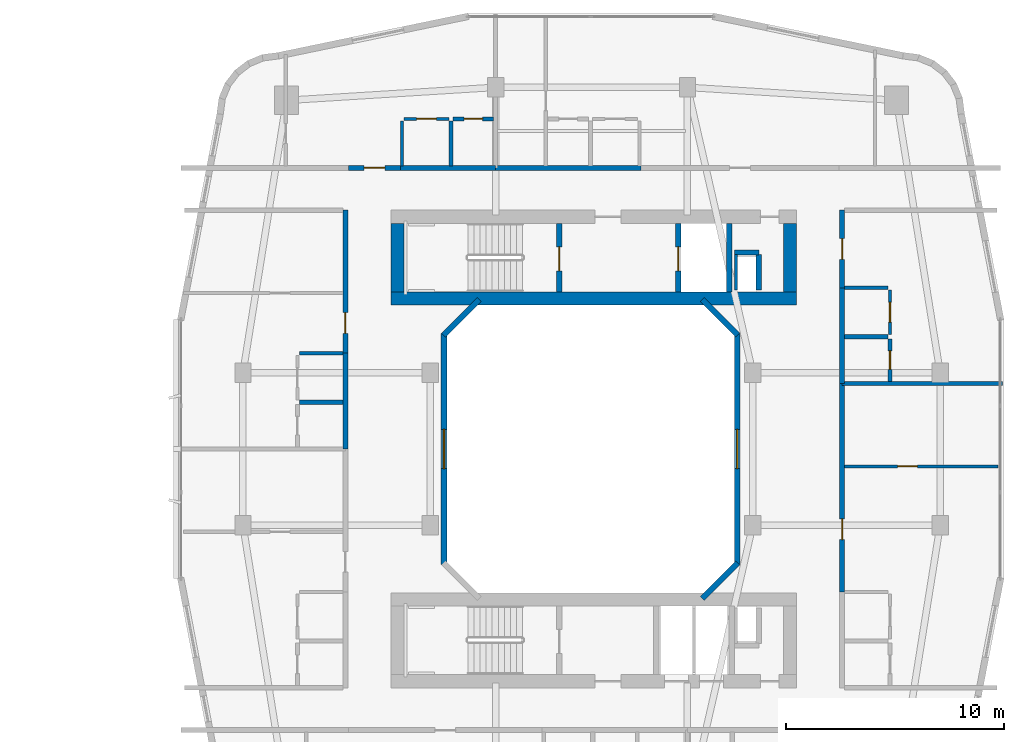
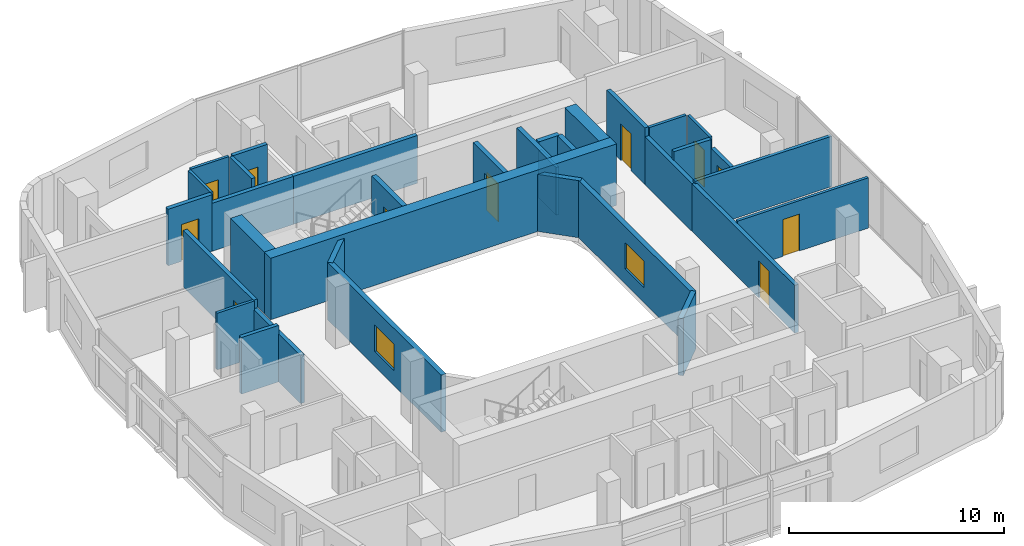
# One storey, part 19 of 26: 34 walls, 11 doors, 2 windows, 13 openings.
"""IFC4 building model written with IfcOpenShell, lengths in metres."""

from ifc_helpers import new_model, si_unit, derived_unit, direction, frame, frame_2d, origin, place, context, subcontext, project, spatial, rectangle, extrude, material, layer, layer_set, type_object, element, fill, save


model = new_model("IFC4")

# Units and contexts
model_context = context("Model", 3, precision=1e-05, world=origin(), true_north=direction((0.0, 1.0)))
body_context = subcontext(model_context, "Body", "Model", "MODEL_VIEW")
ifc_project = project(units=[si_unit("LENGTHUNIT", "METRE"), si_unit("AREAUNIT", "SQUARE_METRE"), si_unit("VOLUMEUNIT", "CUBIC_METRE"), si_unit("PLANEANGLEUNIT", "RADIAN"), si_unit("MASSUNIT", "GRAM", prefix="KILO"), derived_unit("THERMALTRANSMITTANCEUNIT", [(si_unit("POWERUNIT", "WATT"), 1), (si_unit("LENGTHUNIT", "METRE"), -2), (si_unit("THERMODYNAMICTEMPERATUREUNIT", "KELVIN"), -1)])], contexts=[model_context])

# Site, building, storey
site_placement = place(None, origin())
site = spatial("IfcSite", under=ifc_project, at=site_placement, CompositionType="ELEMENT")
building_placement = place(site_placement, origin())
building = spatial("IfcBuilding", under=site, at=building_placement, Name="Kivonza Crest Hotel", CompositionType="ELEMENT")
storey_placement = place(building_placement, frame((0.0, 0.0, 45.0)))
storey = spatial("IfcBuildingStorey", under=building, at=storey_placement, Name="L11", CompositionType="ELEMENT", Elevation=45.0)

# Walls
ifc_material_1 = material(Name="High-density acoustic masonry inter-tenancy wall", Category="masonry")
ifc_layer_1 = layer(ifc_material_1, 0.179931640625)
ifc_layer_set_1 = layer_set([ifc_layer_1], Name="High-density acoustic masonry inter-tenancy wall")
wall_type_1 = type_object("IfcWallType", Name="WL-ACOU-180", PredefinedType="SOLIDWALL", material=ifc_layer_set_1)
wall_1_placement = place(storey_placement, frame((88.5, 28.0, 0.0), z_axis=(0.0, 0.0, 1.0), x_axis=(1.0, 0.0, 0.0)))
element("IfcWall", 1, at=wall_1_placement, inside=storey, type_object=wall_type_1, Name="L11 interior partition WA-L11-T2E-DIV1", PredefinedType="SOLIDWALL", context=body_context, shape_type="SweptSolid", body=[
    extrude(rectangle(XDim=7.360107421875, YDim=0.179931640625, at=frame_2d((3.68017578125, 0.0))), origin(), (0.0, 0.0, 1.0), 2.864990234375),
])
ifc_material_2 = material(Name="Autoclaved aerated concrete blockwork", Category="masonry")
ifc_layer_2 = layer(ifc_material_2, 0.219970703125)
ifc_layer_set_2 = layer_set([ifc_layer_2], Name="Autoclaved aerated concrete blockwork")
wall_type_2 = type_object("IfcWallType", Name="WL-ACOU-220", PredefinedType="SOLIDWALL", material=ifc_layer_set_2)
wall_2_placement = place(storey_placement, frame((68.219970703125, 37.89990234375, 0.0), z_axis=(0.0, 0.0, 1.0), x_axis=(1.0, 0.0, 0.0)))
element("IfcWall", 2, at=wall_2_placement, inside=storey, type_object=wall_type_2, Name="L11 interior partition WA-L11-A01-RCORR", PredefinedType="SOLIDWALL", context=body_context, shape_type="SweptSolid", body=[
    extrude(rectangle(XDim=4.380126953125, YDim=0.219970703125, at=frame_2d((2.18994140625, 0.0))), origin(), (0.0, 0.0, 1.0), 2.72509765625),
])

# Wall, opening, door
wall_3_placement = place(storey_placement, frame((65.85009765625, 37.89990234375, 0.0), z_axis=(0.0, 0.0, 1.0), x_axis=(1.0, 0.0, 0.0)))
wall_3 = element("IfcWall", 3, at=wall_3_placement, inside=storey, type_object=wall_type_2, Name="L11 interior partition WA-L11-A01-MCORR", PredefinedType="SOLIDWALL", context=body_context, shape_type="SweptSolid", body=[
    extrude(rectangle(XDim=2.369873046875, YDim=0.219970703125, at=frame_2d((1.18505859375, 0.0))), origin(), (0.0, 0.0, 1.0), 3.219970703125),
])
opening_1_placement = place(wall_3_placement, frame((0.7099609375, 0.0, 0.0)))
opening_1 = element("IfcOpeningElement", 4, at=opening_1_placement, cuts=wall_3, Name="Opening DU-60", PredefinedType="OPENING", context=body_context, shape_type="SweptSolid", body=[
    extrude(rectangle(XDim=0.949951171875, YDim=2.10009765625, at=frame_2d((0.47509765625, 1.050048828125))), frame((0.0, 0.1201171875, 0.0), z_axis=(0.0, -1.0, 0.0), x_axis=(1.0, 0.0, 0.0)), (0.0, 0.0, 1.0), 0.239990234375),
])
ifc_material_3 = material(Name="Hardwood timber oak", Category="wood")
door_type_1 = type_object("IfcDoorType", Name="DR-UNIT-950", OperationType="NOTDEFINED", PredefinedType="DOOR", material=ifc_material_3)
door_1_placement = place(opening_1_placement, origin())
door_1 = element("IfcDoor", 5, at=door_1_placement, inside=storey, type_object=door_type_1, Name="L11 A01 apartment entrance fire door", OperationType="SINGLE_SWING_LEFT", OverallHeight=2.10009765625, OverallWidth=0.949951171875, PredefinedType="DOOR", context=body_context, shape_type="SweptSolid", body=[
    extrude(rectangle(XDim=0.949951171875, YDim=2.10009765625, at=frame_2d((0.47509765625, 1.050048828125))), frame((0.0, 0.02490234375, 0.0), z_axis=(0.0, -1.0, 0.0), x_axis=(1.0, 0.0, 0.0)), (0.0, 0.0, 1.0), 0.050048828125),
])
fill(opening_1, door_1)

# Walls
wall_4_placement = place(storey_placement, frame((72.60009765625, 37.89990234375, 0.0), z_axis=(0.0, 0.0, 1.0), x_axis=(1.0, 0.0, 0.0)))
element("IfcWall", 6, at=wall_4_placement, inside=storey, type_object=wall_type_2, Name="L11 interior partition WA-L11-A02-LCORR", PredefinedType="SOLIDWALL", context=body_context, shape_type="SweptSolid", body=[
    extrude(rectangle(XDim=6.679931640625, YDim=0.219970703125, at=frame_2d((3.33984375, 0.0))), origin(), (0.0, 0.0, 1.0), 2.72509765625),
])
wall_5_placement = place(storey_placement, frame((65.699951171875, 25.0, 0.0), z_axis=(0.0, 0.0, 1.0), x_axis=(0.0, 1.0, 0.0)))
element("IfcWall", 7, at=wall_5_placement, inside=storey, type_object=wall_type_2, Name="L11 interior partition WA-L11-A06-BCORR", PredefinedType="SOLIDWALL", context=body_context, shape_type="SweptSolid", body=[
    extrude(rectangle(XDim=4.39990234375, YDim=0.219970703125, at=frame_2d((2.199951171875, 0.0))), origin(), (0.0, 0.0, 1.0), 2.72509765625),
])

# Wall, opening, door
wall_6_placement = place(storey_placement, frame((65.699951171875, 29.39990234375, 0.0), z_axis=(0.0, 0.0, 1.0), x_axis=(0.0, 1.0, 0.0)))
wall_6 = element("IfcWall", 8, at=wall_6_placement, inside=storey, type_object=wall_type_2, Name="L11 interior partition WA-L11-A06-MCORR", PredefinedType="SOLIDWALL", context=body_context, shape_type="SweptSolid", body=[
    extrude(rectangle(XDim=6.56005859375, YDim=0.219970703125, at=frame_2d((3.280029296875, 0.0))), origin(), (0.0, 0.0, 1.0), 3.219970703125),
])
opening_2_placement = place(wall_6_placement, frame((0.905029296875, 0.0, 0.0)))
opening_2 = element("IfcOpeningElement", 9, at=opening_2_placement, cuts=wall_6, Name="Opening DU-60", PredefinedType="OPENING", context=body_context, shape_type="SweptSolid", body=[
    extrude(rectangle(XDim=0.949951171875, YDim=2.10009765625, at=frame_2d((0.47509765625, 1.050048828125))), frame((0.0, 0.1201171875, 0.0), z_axis=(0.0, -1.0, 0.0), x_axis=(1.0, 0.0, 0.0)), (0.0, 0.0, 1.0), 0.239990234375),
])
door_2_placement = place(opening_2_placement, origin())
door_2 = element("IfcDoor", 10, at=door_2_placement, inside=storey, type_object=door_type_1, Name="L11 A06 apartment entrance fire door", OperationType="SINGLE_SWING_RIGHT", OverallHeight=2.10009765625, OverallWidth=0.949951171875, PredefinedType="DOOR", context=body_context, shape_type="SweptSolid", body=[
    extrude(rectangle(XDim=0.949951171875, YDim=2.10009765625, at=frame_2d((0.47509765625, 1.050048828125))), frame((0.0, 0.02490234375, 0.0), z_axis=(0.0, -1.0, 0.0), x_axis=(1.0, 0.0, 0.0)), (0.0, 0.0, 1.0), 0.050048828125),
])
fill(opening_2, door_2)

wall_7_placement = place(storey_placement, frame((88.5, 18.43994140625, 0.0), z_axis=(0.0, 0.0, 1.0), x_axis=(0.0, 1.0, 0.0)))
wall_7 = element("IfcWall", 11, at=wall_7_placement, inside=storey, type_object=wall_type_2, Name="L11 interior partition WA-L11-A07-MCORR", PredefinedType="SOLIDWALL", context=body_context, shape_type="SweptSolid", body=[
    extrude(rectangle(XDim=9.56005859375, YDim=0.219970703125, at=frame_2d((4.780029296875, 0.0))), origin(), (0.0, 0.0, 1.0), 2.72509765625),
])
opening_3_placement = place(wall_7_placement, frame((2.405029296875, 0.0, 0.0)))
opening_3 = element("IfcOpeningElement", 12, at=opening_3_placement, cuts=wall_7, Name="Opening DU-60", PredefinedType="OPENING", context=body_context, shape_type="SweptSolid", body=[
    extrude(rectangle(XDim=0.949951171875, YDim=2.10009765625, at=frame_2d((0.47509765625, 1.050048828125))), frame((0.0, 0.1201171875, 0.0), z_axis=(0.0, -1.0, 0.0), x_axis=(1.0, 0.0, 0.0)), (0.0, 0.0, 1.0), 0.239990234375),
])
door_3_placement = place(opening_3_placement, frame((0.949951171875, 0.0, 0.0), z_axis=(0.0, 0.0, 1.0), x_axis=(-1.0, 0.0, 0.0)))
door_3 = element("IfcDoor", 13, at=door_3_placement, inside=storey, type_object=door_type_1, Name="L11 A07 apartment entrance fire door", OperationType="SINGLE_SWING_LEFT", OverallHeight=2.10009765625, OverallWidth=0.949951171875, PredefinedType="DOOR", context=body_context, shape_type="SweptSolid", body=[
    extrude(rectangle(XDim=0.949951171875, YDim=2.10009765625, at=frame_2d((0.47509765625, 1.050048828125))), frame((0.0, 0.02490234375, 0.0), z_axis=(0.0, -1.0, 0.0), x_axis=(1.0, 0.0, 0.0)), (0.0, 0.0, 1.0), 0.050048828125),
])
fill(opening_3, door_3)

# Wall
wall_8_placement = place(storey_placement, frame((88.5, 28.0, 0.0), z_axis=(0.0, 0.0, 1.0), x_axis=(0.0, 1.0, 0.0)))
element("IfcWall", 14, at=wall_8_placement, inside=storey, type_object=wall_type_2, Name="L11 interior partition WA-L11-A08-BCORR", PredefinedType="SOLIDWALL", context=body_context, shape_type="SweptSolid", body=[
    extrude(rectangle(XDim=4.39990234375, YDim=0.219970703125, at=frame_2d((2.199951171875, 0.0))), origin(), (0.0, 0.0, 1.0), 2.72509765625),
])

# Wall, opening, door
wall_9_placement = place(storey_placement, frame((88.5, 32.39990234375, 0.0), z_axis=(0.0, 0.0, 1.0), x_axis=(0.0, 1.0, 0.0)))
wall_9 = element("IfcWall", 15, at=wall_9_placement, inside=storey, type_object=wall_type_2, Name="L11 interior partition WA-L11-A08-MCORR", PredefinedType="SOLIDWALL", context=body_context, shape_type="SweptSolid", body=[
    extrude(rectangle(XDim=3.56005859375, YDim=0.219970703125, at=frame_2d((1.780029296875, 0.0))), origin(), (0.0, 0.0, 1.0), 3.219970703125),
])
opening_4_placement = place(wall_9_placement, frame((1.304931640625, 0.0, 0.0)))
opening_4 = element("IfcOpeningElement", 16, at=opening_4_placement, cuts=wall_9, Name="Opening DU-60", PredefinedType="OPENING", context=body_context, shape_type="SweptSolid", body=[
    extrude(rectangle(XDim=0.949951171875, YDim=2.10009765625, at=frame_2d((0.47509765625, 1.050048828125))), frame((0.0, 0.1201171875, 0.0), z_axis=(0.0, -1.0, 0.0), x_axis=(1.0, 0.0, 0.0)), (0.0, 0.0, 1.0), 0.239990234375),
])
door_4_placement = place(opening_4_placement, frame((0.949951171875, 0.0, 0.0), z_axis=(0.0, 0.0, 1.0), x_axis=(-1.0, 0.0, 0.0)))
door_4 = element("IfcDoor", 17, at=door_4_placement, inside=storey, type_object=door_type_1, Name="L11 A08 apartment entrance fire door", OperationType="SINGLE_SWING_RIGHT", OverallHeight=2.10009765625, OverallWidth=0.949951171875, PredefinedType="DOOR", context=body_context, shape_type="SweptSolid", body=[
    extrude(rectangle(XDim=0.949951171875, YDim=2.10009765625, at=frame_2d((0.47509765625, 1.050048828125))), frame((0.0, 0.02490234375, 0.0), z_axis=(0.0, -1.0, 0.0), x_axis=(1.0, 0.0, 0.0)), (0.0, 0.0, 1.0), 0.050048828125),
])
fill(opening_4, door_4)

# Walls
ifc_material_4 = material(Name="Concrete C60/75", Category="concrete")
ifc_layer_3 = layer(ifc_material_4, 0.60009765625)
ifc_layer_set_3 = layer_set([ifc_layer_3], Name="Concrete C60/75")
wall_type_3 = type_object("IfcWallType", Name="WL-CORE-600", PredefinedType="SHEAR", material=ifc_layer_set_3)
wall_10_placement = place(storey_placement, frame((67.800048828125, 31.89990234375, 0.0), z_axis=(0.0, 0.0, 1.0), x_axis=(1.0, 0.0, 0.0)))
element("IfcWall", 18, at=wall_10_placement, inside=storey, type_object=wall_type_3, Name="Core wall T2-N South L11", PredefinedType="SHEAR", context=body_context, shape_type="SweptSolid", body=[
    extrude(rectangle(XDim=18.599853515625, YDim=0.60009765625, at=frame_2d((9.2998046875, 0.0))), origin(), (0.0, 0.0, 1.0), 3.5),
])
for number, where, z_axis, x_axis, name in (
    (19, (68.10009765625, 32.199951171875, 0.0), (0.0, 0.0, 1.0), (0.0, 1.0, 0.0), "Core wall T2-N West L11"),
    (20, (86.10009765625, 32.199951171875, 0.0), (0.0, 0.0, 1.0), (0.0, 1.0, 0.0), "Core wall T2-N East L11"),
):
    element("IfcWall", number, at=place(storey_placement, frame(where, z_axis=z_axis, x_axis=x_axis)), inside=storey, type_object=wall_type_3, Name=name, PredefinedType="SHEAR", context=body_context, shape_type="SweptSolid", body=[
        extrude(rectangle(XDim=3.16015625, YDim=0.60009765625, at=frame_2d((1.580078125, 0.0))), origin(), (0.0, 0.0, 1.0), 3.5),
    ])
ifc_material_5 = material(Name="Precast concrete C40/50", Category="concrete")
ifc_layer_4 = layer(ifc_material_5, 0.260009765625)
ifc_layer_set_4 = layer_set([ifc_layer_4], Name="Precast concrete C40/50")
wall_type_4 = type_object("IfcWallType", Name="WL-EXT-260", PredefinedType="STANDARD", material=ifc_layer_set_4)
wall_11_placement = place(storey_placement, frame((82.08203125, 18.137939453125, 0.0), z_axis=(0.0, 0.0, 1.0), x_axis=(0.707106781187, 0.707106781187, 0.0)))
element("IfcWall", 21, at=wall_11_placement, inside=storey, type_object=wall_type_4, Name="L11 T2 light-well exterior wall 2", PredefinedType="STANDARD", context=body_context, shape_type="SweptSolid", body=[
    extrude(rectangle(XDim=2.310791015625, YDim=0.260009765625, at=frame_2d((1.1552734375, 0.0))), origin(), (0.0, 0.0, 1.0), 3.25),
])

# Wall, opening, window
wall_12_placement = place(storey_placement, frame((83.68994140625, 19.7099609375, 0.0), z_axis=(0.0, 0.0, 1.0), x_axis=(0.0, 1.0, 0.0)))
wall_12 = element("IfcWall", 22, at=wall_12_placement, inside=storey, type_object=wall_type_4, Name="L11 T2 light-well exterior wall 3", PredefinedType="STANDARD", context=body_context, shape_type="SweptSolid", body=[
    extrude(rectangle(XDim=10.580078125, YDim=0.260009765625, at=frame_2d((5.2900390625, 0.0))), origin(), (0.0, 0.0, 1.0), 3.25),
])
opening_5_placement = place(wall_12_placement, frame((4.389892578125, 0.0, 0.85009765625)))
opening_5 = element("IfcOpeningElement", 23, at=opening_5_placement, cuts=wall_12, Name="Opening WN-03", PredefinedType="OPENING", context=body_context, shape_type="SweptSolid", body=[
    extrude(rectangle(XDim=1.800048828125, YDim=1.5, at=frame_2d((0.89990234375, 0.75))), frame((0.0, 0.14013671875, 0.0), z_axis=(0.0, -1.0, 0.0), x_axis=(1.0, 0.0, 0.0)), (0.0, 0.0, 1.0), 0.280029296875),
])
ifc_material_6 = material(Name="Thermally broken bronze aluminium and low-E double glazing", Category="aluminium")
window_type = type_object("IfcWindowType", Name="WN-180x150", PartitioningType="DOUBLE_PANEL_VERTICAL", PredefinedType="WINDOW", material=ifc_material_6)
window_1_placement = place(opening_5_placement, origin())
window_1 = element("IfcWindow", 24, at=window_1_placement, inside=storey, type_object=window_type, Name="L11 T2 light-well window 3", OverallHeight=1.5, OverallWidth=1.800048828125, PartitioningType="SINGLE_PANEL", PredefinedType="WINDOW", context=body_context, shape_type="SweptSolid", body=[
    extrude(rectangle(XDim=1.800048828125, YDim=1.5, at=frame_2d((0.89990234375, 0.75))), frame((0.0, 0.030029296875, 0.0), z_axis=(0.0, -1.0, 0.0), x_axis=(1.0, 0.0, 0.0)), (0.0, 0.0, 1.0), 0.06005859375),
])
fill(opening_5, window_1)

# Walls
for number, where, z_axis, x_axis, name in (
    (25, (83.716064453125, 30.22802734375, 0.0), (0.0, 0.0, 1.0), (-0.707106781187, 0.707106781187, 0.0), "L11 T2 light-well exterior wall 4"),
    (26, (71.837890625, 31.862060546875, 0.0), (0.0, 0.0, 1.0), (-0.707053950914, -0.707159607512, 0.0), "L11 T2 light-well exterior wall 6"),
):
    element("IfcWall", number, at=place(storey_placement, frame(where, z_axis=z_axis, x_axis=x_axis)), inside=storey, type_object=wall_type_4, Name=name, PredefinedType="STANDARD", context=body_context, shape_type="SweptSolid", body=[
        extrude(rectangle(XDim=2.310791015625, YDim=0.260009765625, at=frame_2d((1.1552734375, 0.0))), origin(), (0.0, 0.0, 1.0), 3.25),
    ])

# Wall, opening, window
wall_13_placement = place(storey_placement, frame((70.22998046875, 30.2900390625, 0.0), z_axis=(0.0, 0.0, 1.0), x_axis=(0.0, -1.0, 0.0)))
wall_13 = element("IfcWall", 27, at=wall_13_placement, inside=storey, type_object=wall_type_4, Name="L11 T2 light-well exterior wall 7", PredefinedType="STANDARD", context=body_context, shape_type="SweptSolid", body=[
    extrude(rectangle(XDim=10.580078125, YDim=0.260009765625, at=frame_2d((5.2900390625, 0.0))), origin(), (0.0, 0.0, 1.0), 3.25),
])
opening_6_placement = place(wall_13_placement, frame((4.389892578125, 0.0, 0.85009765625)))
opening_6 = element("IfcOpeningElement", 28, at=opening_6_placement, cuts=wall_13, Name="Opening WN-03", PredefinedType="OPENING", context=body_context, shape_type="SweptSolid", body=[
    extrude(rectangle(XDim=1.800048828125, YDim=1.5, at=frame_2d((0.89990234375, 0.75))), frame((0.0, 0.14013671875, 0.0), z_axis=(0.0, -1.0, 0.0), x_axis=(1.0, 0.0, 0.0)), (0.0, 0.0, 1.0), 0.280029296875),
])
window_2_placement = place(opening_6_placement, origin())
window_2 = element("IfcWindow", 29, at=window_2_placement, inside=storey, type_object=window_type, Name="L11 T2 light-well window 7", OverallHeight=1.5, OverallWidth=1.800048828125, PartitioningType="SINGLE_PANEL", PredefinedType="WINDOW", context=body_context, shape_type="SweptSolid", body=[
    extrude(rectangle(XDim=1.800048828125, YDim=1.5, at=frame_2d((0.89990234375, 0.75))), frame((0.0, 0.030029296875, 0.0), z_axis=(0.0, -1.0, 0.0), x_axis=(1.0, 0.0, 0.0)), (0.0, 0.0, 1.0), 0.06005859375),
])
fill(opening_6, window_2)

# Walls
ifc_material_7 = material(Name="Concrete blockwork fire-compartment wall", Category="masonry")
ifc_layer_5 = layer(ifc_material_7, 0.25)
ifc_layer_set_5 = layer_set([ifc_layer_5], Name="Concrete blockwork fire-compartment wall")
wall_type_5 = type_object("IfcWallType", Name="WL-FIRE-250", PredefinedType="SOLIDWALL", material=ifc_layer_set_5)
wall_14_placement = place(storey_placement, frame((84.679931640625, 32.300048828125, 0.0), z_axis=(0.0, 0.0, 1.0), x_axis=(0.0, 1.0, 0.0)))
element("IfcWall", 30, at=wall_14_placement, inside=storey, type_object=wall_type_5, Name="L11 interior partition WA-L11-T2-N-MEPR-E", PredefinedType="SOLIDWALL", context=body_context, shape_type="SweptSolid", body=[
    extrude(rectangle(XDim=1.619873046875, YDim=0.25, at=frame_2d((0.81005859375, 0.0))), origin(), (0.0, 0.0, 1.0), 3.219970703125),
])
wall_15_placement = place(storey_placement, frame((83.550048828125, 34.02001953125, 0.0), z_axis=(0.0, 0.0, 1.0), x_axis=(1.0, 0.0, 0.0)))
element("IfcWall", 31, at=wall_15_placement, inside=storey, type_object=wall_type_5, Name="L11 interior partition WA-L11-T2-N-MEPR-H", PredefinedType="SOLIDWALL", context=body_context, shape_type="SweptSolid", body=[
    extrude(rectangle(XDim=1.1298828125, YDim=0.25, at=frame_2d((0.56494140625, 0.0))), origin(), (0.0, 0.0, 1.0), 3.219970703125),
])
ifc_material_8 = material(Name="Twin-stud acoustic gypsum board partition", Category="gypsum")
ifc_layer_6 = layer(ifc_material_8, 0.14990234375)
ifc_layer_set_6 = layer_set([ifc_layer_6], Name="Twin-stud acoustic gypsum board partition")
wall_type_6 = type_object("IfcWallType", Name="WL-PART-150", PredefinedType="PARTITIONING", material=ifc_layer_set_6)
wall_16_placement = place(storey_placement, frame((83.6298828125, 32.300048828125, 0.0), z_axis=(0.0, 0.0, 1.0), x_axis=(0.0, 1.0, 0.0)))
element("IfcWall", 32, at=wall_16_placement, inside=storey, type_object=wall_type_6, Name="L11 interior partition WA-L11-T2-N-MEPR-W", PredefinedType="PARTITIONING", context=body_context, shape_type="SweptSolid", body=[
    extrude(rectangle(XDim=1.619873046875, YDim=0.14990234375, at=frame_2d((0.81005859375, 0.0))), origin(), (0.0, 0.0, 1.0), 2.72509765625),
])
wall_17_placement = place(storey_placement, frame((68.300048828125, 38.0, 0.0), z_axis=(0.0, 0.0, 1.0), x_axis=(0.0, 1.0, 0.0)))
element("IfcWall", 33, at=wall_17_placement, inside=storey, type_object=wall_type_6, Name="L11 interior partition WP-L11-A01-KF", PredefinedType="PARTITIONING", context=body_context, shape_type="SweptSolid", body=[
    extrude(rectangle(XDim=2.050048828125, YDim=0.14990234375, at=frame_2d((1.02490234375, 0.0))), origin(), (0.0, 0.0, 1.0), 3.219970703125),
])

# Wall, opening, door
wall_18_placement = place(storey_placement, frame((68.39990234375, 40.14990234375, 0.0), z_axis=(0.0, 0.0, 1.0), x_axis=(1.0, 0.0, 0.0)))
wall_18 = element("IfcWall", 34, at=wall_18_placement, inside=storey, type_object=wall_type_6, Name="L11 interior partition WP-L11-A01-KSVC", PredefinedType="PARTITIONING", context=body_context, shape_type="SweptSolid", body=[
    extrude(rectangle(XDim=2.050048828125, YDim=0.14990234375, at=frame_2d((1.02490234375, 0.0))), origin(), (0.0, 0.0, 1.0), 3.219970703125),
])
opening_7_placement = place(wall_18_placement, frame((0.574951171875, 0.0, 0.0)))
opening_7 = element("IfcOpeningElement", 35, at=opening_7_placement, cuts=wall_18, Name="Opening DI-90", PredefinedType="OPENING", context=body_context, shape_type="SweptSolid", body=[
    extrude(rectangle(XDim=0.89990234375, YDim=2.10009765625, at=frame_2d((0.449951171875, 1.050048828125))), frame((0.0, 0.0849609375, 0.0), z_axis=(0.0, -1.0, 0.0), x_axis=(1.0, 0.0, 0.0)), (0.0, 0.0, 1.0), 0.169921875),
])
door_type_2 = type_object("IfcDoorType", Name="DR-INT-900", OperationType="NOTDEFINED", PredefinedType="DOOR", material=ifc_material_3)
door_5_placement = place(opening_7_placement, origin())
door_5 = element("IfcDoor", 36, at=door_5_placement, inside=storey, type_object=door_type_2, Name="L11 A01 apartment kitchen door", OperationType="SINGLE_SWING_LEFT", OverallHeight=2.10009765625, OverallWidth=0.89990234375, PredefinedType="DOOR", context=body_context, shape_type="SweptSolid", body=[
    extrude(rectangle(XDim=0.89990234375, YDim=2.10009765625, at=frame_2d((0.449951171875, 1.050048828125))), frame((0.0, 0.02490234375, 0.0), z_axis=(0.0, -1.0, 0.0), x_axis=(1.0, 0.0, 0.0)), (0.0, 0.0, 1.0), 0.050048828125),
])
fill(opening_7, door_5)

# Wall
wall_19_placement = place(storey_placement, frame((63.60009765625, 29.39990234375, 0.0), z_axis=(0.0, 0.0, 1.0), x_axis=(1.0, 0.0, 0.0)))
element("IfcWall", 37, at=wall_19_placement, inside=storey, type_object=wall_type_6, Name="L11 interior partition WP-L11-A06-KF", PredefinedType="PARTITIONING", context=body_context, shape_type="SweptSolid", body=[
    extrude(rectangle(XDim=2.0, YDim=0.14990234375, at=frame_2d((1.0, 0.0))), origin(), (0.0, 0.0, 1.0), 3.219970703125),
])

# Wall, opening, door
wall_20_placement = place(storey_placement, frame((88.60009765625, 24.199951171875, 0.0), z_axis=(0.0, 0.0, 1.0), x_axis=(1.0, 0.0, 0.0)))
wall_20 = element("IfcWall", 38, at=wall_20_placement, inside=storey, type_object=wall_type_6, Name="L11 interior partition WP-L11-A07-BD1", PredefinedType="PARTITIONING", context=body_context, shape_type="SweptSolid", body=[
    extrude(rectangle(XDim=7.059814453125, YDim=0.14990234375, at=frame_2d((3.52978515625, 0.0))), origin(), (0.0, 0.0, 1.0), 2.864990234375),
])
opening_8_placement = place(wall_20_placement, frame((2.449951171875, 0.0, 0.0)))
opening_8 = element("IfcOpeningElement", 39, at=opening_8_placement, cuts=wall_20, Name="Opening DI-90", PredefinedType="OPENING", context=body_context, shape_type="SweptSolid", body=[
    extrude(rectangle(XDim=0.89990234375, YDim=2.10009765625, at=frame_2d((0.449951171875, 1.050048828125))), frame((0.0, 0.0849609375, 0.0), z_axis=(0.0, -1.0, 0.0), x_axis=(1.0, 0.0, 0.0)), (0.0, 0.0, 1.0), 0.169921875),
])
door_6_placement = place(opening_8_placement, origin())
door_6 = element("IfcDoor", 40, at=door_6_placement, inside=storey, type_object=door_type_2, Name="L11 A07 bedroom door", OperationType="SINGLE_SWING_RIGHT", OverallHeight=2.10009765625, OverallWidth=0.89990234375, PredefinedType="DOOR", context=body_context, shape_type="SweptSolid", body=[
    extrude(rectangle(XDim=0.89990234375, YDim=2.10009765625, at=frame_2d((0.449951171875, 1.050048828125))), frame((0.0, 0.02490234375, 0.0), z_axis=(0.0, -1.0, 0.0), x_axis=(1.0, 0.0, 0.0)), (0.0, 0.0, 1.0), 0.050048828125),
])
fill(opening_8, door_6)

# Wall
wall_21_placement = place(storey_placement, frame((88.60009765625, 32.39990234375, 0.0), z_axis=(0.0, 0.0, 1.0), x_axis=(1.0, 0.0, 0.0)))
element("IfcWall", 41, at=wall_21_placement, inside=storey, type_object=wall_type_6, Name="L11 interior partition WP-L11-A08-KF", PredefinedType="PARTITIONING", context=body_context, shape_type="SweptSolid", body=[
    extrude(rectangle(XDim=2.0, YDim=0.14990234375, at=frame_2d((1.0, 0.0))), origin(), (0.0, 0.0, 1.0), 3.219970703125),
])

# Wall, opening, door
wall_22_placement = place(storey_placement, frame((90.699951171875, 30.25, 0.0), z_axis=(0.0, 0.0, 1.0), x_axis=(0.0, 1.0, 0.0)))
wall_22 = element("IfcWall", 42, at=wall_22_placement, inside=storey, type_object=wall_type_6, Name="L11 interior partition WP-L11-A08-KSVC", PredefinedType="PARTITIONING", context=body_context, shape_type="SweptSolid", body=[
    extrude(rectangle(XDim=2.050048828125, YDim=0.14990234375, at=frame_2d((1.02490234375, 0.0))), origin(), (0.0, 0.0, 1.0), 3.219970703125),
])
opening_9_placement = place(wall_22_placement, frame((0.574951171875, 0.0, 0.0)))
opening_9 = element("IfcOpeningElement", 43, at=opening_9_placement, cuts=wall_22, Name="Opening DI-90", PredefinedType="OPENING", context=body_context, shape_type="SweptSolid", body=[
    extrude(rectangle(XDim=0.89990234375, YDim=2.10009765625, at=frame_2d((0.449951171875, 1.050048828125))), frame((0.0, 0.0849609375, 0.0), z_axis=(0.0, -1.0, 0.0), x_axis=(1.0, 0.0, 0.0)), (0.0, 0.0, 1.0), 0.169921875),
])
door_7_placement = place(opening_9_placement, frame((0.89990234375, 0.0, 0.0), z_axis=(0.0, 0.0, 1.0), x_axis=(-1.0, 0.0, 0.0)))
door_7 = element("IfcDoor", 44, at=door_7_placement, inside=storey, type_object=door_type_2, Name="L11 A08 apartment kitchen door", OperationType="SINGLE_SWING_RIGHT", OverallHeight=2.10009765625, OverallWidth=0.89990234375, PredefinedType="DOOR", context=body_context, shape_type="SweptSolid", body=[
    extrude(rectangle(XDim=0.89990234375, YDim=2.10009765625, at=frame_2d((0.449951171875, 1.050048828125))), frame((0.0, 0.02490234375, 0.0), z_axis=(0.0, -1.0, 0.0), x_axis=(1.0, 0.0, 0.0)), (0.0, 0.0, 1.0), 0.050048828125),
])
fill(opening_9, door_7)

# Wall
ifc_material_9 = material(Name="Moisture-resistant plumbing chase partition wall", Category="gypsum")
ifc_layer_7 = layer(ifc_material_9, 0.199951171875)
ifc_layer_set_7 = layer_set([ifc_layer_7], Name="Moisture-resistant plumbing chase partition wall")
wall_type_7 = type_object("IfcWallType", Name="WL-PLUMB-200", PredefinedType="PLUMBINGWALL", material=ifc_layer_set_7)
wall_23_placement = place(storey_placement, frame((70.550048828125, 38.0, 0.0), z_axis=(0.0, 0.0, 1.0), x_axis=(0.0, 1.0, 0.0)))
element("IfcWall", 45, at=wall_23_placement, inside=storey, type_object=wall_type_7, Name="L11 interior partition WW-L11-A01-BK", PredefinedType="PLUMBINGWALL", context=body_context, shape_type="SweptSolid", body=[
    extrude(rectangle(XDim=2.050048828125, YDim=0.199951171875, at=frame_2d((1.02490234375, 0.0))), origin(), (0.0, 0.0, 1.0), 3.219970703125),
])

# Wall, opening, door
wall_24_placement = place(storey_placement, frame((70.64990234375, 40.14990234375, 0.0), z_axis=(0.0, 0.0, 1.0), x_axis=(1.0, 0.0, 0.0)))
wall_24 = element("IfcWall", 46, at=wall_24_placement, inside=storey, type_object=wall_type_7, Name="L11 interior partition WW-L11-A01-BSVC", PredefinedType="PLUMBINGWALL", context=body_context, shape_type="SweptSolid", body=[
    extrude(rectangle(XDim=1.85009765625, YDim=0.199951171875, at=frame_2d((0.925048828125, 0.0))), origin(), (0.0, 0.0, 1.0), 3.219970703125),
])
opening_10_placement = place(wall_24_placement, frame((0.5, 0.0, 0.0)))
opening_10 = element("IfcOpeningElement", 47, at=opening_10_placement, cuts=wall_24, Name="Opening DI-85", PredefinedType="OPENING", context=body_context, shape_type="SweptSolid", body=[
    extrude(rectangle(XDim=0.85009765625, YDim=2.10009765625, at=frame_2d((0.425048828125, 1.050048828125))), frame((0.0, 0.10986328125, 0.0), z_axis=(0.0, -1.0, 0.0), x_axis=(1.0, 0.0, 0.0)), (0.0, 0.0, 1.0), 0.219970703125),
])
door_type_3 = type_object("IfcDoorType", Name="DR-INT-850", OperationType="NOTDEFINED", PredefinedType="DOOR", material=ifc_material_3)
door_8_placement = place(opening_10_placement, origin())
door_8 = element("IfcDoor", 48, at=door_8_placement, inside=storey, type_object=door_type_3, Name="L11 A01 apartment bathroom door", OperationType="SINGLE_SWING_RIGHT", OverallHeight=2.10009765625, OverallWidth=0.85009765625, PredefinedType="DOOR", context=body_context, shape_type="SweptSolid", body=[
    extrude(rectangle(XDim=0.85009765625, YDim=2.10009765625, at=frame_2d((0.425048828125, 1.050048828125))), frame((0.0, 0.02490234375, 0.0), z_axis=(0.0, -1.0, 0.0), x_axis=(1.0, 0.0, 0.0)), (0.0, 0.0, 1.0), 0.050048828125),
])
fill(opening_10, door_8)

# Walls
for number, where, z_axis, x_axis, name in (
    (49, (63.60009765625, 27.14990234375, 0.0), (0.0, 0.0, 1.0), (1.0, 0.0, 0.0), "L11 interior partition WW-L11-A06-BK"),
    (50, (88.60009765625, 30.14990234375, 0.0), (0.0, 0.0, 1.0), (1.0, 0.0, 0.0), "L11 interior partition WW-L11-A08-BK"),
):
    element("IfcWall", number, at=place(storey_placement, frame(where, z_axis=z_axis, x_axis=x_axis)), inside=storey, type_object=wall_type_7, Name=name, PredefinedType="PLUMBINGWALL", context=body_context, shape_type="SweptSolid", body=[
        extrude(rectangle(XDim=2.0, YDim=0.199951171875, at=frame_2d((1.0, 0.0))), origin(), (0.0, 0.0, 1.0), 3.219970703125),
    ])

# Wall, opening, door
wall_25_placement = place(storey_placement, frame((90.699951171875, 28.10009765625, 0.0), z_axis=(0.0, 0.0, 1.0), x_axis=(0.0, 1.0, 0.0)))
wall_25 = element("IfcWall", 51, at=wall_25_placement, inside=storey, type_object=wall_type_7, Name="L11 interior partition WW-L11-A08-BSVC", PredefinedType="PLUMBINGWALL", context=body_context, shape_type="SweptSolid", body=[
    extrude(rectangle(XDim=1.949951171875, YDim=0.199951171875, at=frame_2d((0.97509765625, 0.0))), origin(), (0.0, 0.0, 1.0), 2.72509765625),
])
opening_11_placement = place(wall_25_placement, frame((0.550048828125, 0.0, 0.0)))
opening_11 = element("IfcOpeningElement", 52, at=opening_11_placement, cuts=wall_25, Name="Opening DI-85", PredefinedType="OPENING", context=body_context, shape_type="SweptSolid", body=[
    extrude(rectangle(XDim=0.85009765625, YDim=2.10009765625, at=frame_2d((0.425048828125, 1.050048828125))), frame((0.0, 0.10986328125, 0.0), z_axis=(0.0, -1.0, 0.0), x_axis=(1.0, 0.0, 0.0)), (0.0, 0.0, 1.0), 0.219970703125),
])
door_9_placement = place(opening_11_placement, frame((0.85009765625, 0.0, 0.0), z_axis=(0.0, 0.0, 1.0), x_axis=(-1.0, 0.0, 0.0)))
door_9 = element("IfcDoor", 53, at=door_9_placement, inside=storey, type_object=door_type_3, Name="L11 A08 apartment bathroom door", OperationType="SINGLE_SWING_LEFT", OverallHeight=2.10009765625, OverallWidth=0.85009765625, PredefinedType="DOOR", context=body_context, shape_type="SweptSolid", body=[
    extrude(rectangle(XDim=0.85009765625, YDim=2.10009765625, at=frame_2d((0.425048828125, 1.050048828125))), frame((0.0, 0.02490234375, 0.0), z_axis=(0.0, -1.0, 0.0), x_axis=(1.0, 0.0, 0.0)), (0.0, 0.0, 1.0), 0.050048828125),
])
fill(opening_11, door_9)

ifc_material_10 = material(Name="Concrete C50/60", Category="concrete")
ifc_layer_8 = layer(ifc_material_10, 0.25)
ifc_layer_set_8 = layer_set([ifc_layer_8], Name="Concrete C50/60")
wall_type_8 = type_object("IfcWallType", Name="WL-SHAFT-250", PredefinedType="STANDARD", material=ifc_layer_set_8)
wall_26_placement = place(storey_placement, frame((75.52490234375, 32.199951171875, 0.0), z_axis=(0.0, 0.0, 1.0), x_axis=(0.0, 1.0, 0.0)))
wall_26 = element("IfcWall", 54, at=wall_26_placement, inside=storey, type_object=wall_type_8, Name="Core shaft wall T2-N STAIR L11", PredefinedType="STANDARD", context=body_context, shape_type="SweptSolid", body=[
    extrude(rectangle(XDim=3.16015625, YDim=0.25, at=frame_2d((1.580078125, 0.0))), origin(), (0.0, 0.0, 1.0), 3.25),
])
opening_12_placement = place(wall_26_placement, frame((0.97998046875, 0.0, 0.0)))
opening_12 = element("IfcOpeningElement", 55, at=opening_12_placement, cuts=wall_26, Name="Opening DF-120", PredefinedType="OPENING", context=body_context, shape_type="SweptSolid", body=[
    extrude(rectangle(XDim=1.10009765625, YDim=2.14990234375, at=frame_2d((0.550048828125, 1.074951171875))), frame((0.0, 0.135009765625, 0.0), z_axis=(0.0, -1.0, 0.0), x_axis=(1.0, 0.0, 0.0)), (0.0, 0.0, 1.0), 0.27001953125),
])
ifc_material_11 = material(Name="Galvanised steel", Category="steel")
door_type_4 = type_object("IfcDoorType", Name="DR-FD120-1100", OperationType="NOTDEFINED", PredefinedType="DOOR", material=ifc_material_11)
door_10_placement = place(opening_12_placement, frame((1.10009765625, 0.0, 0.0), z_axis=(0.0, 0.0, 1.0), x_axis=(-1.0, 0.0, 0.0)))
door_10 = element("IfcDoor", 56, at=door_10_placement, inside=storey, type_object=door_type_4, Name="L11 T2-N stair fire door", OperationType="SINGLE_SWING_LEFT", OverallHeight=2.14990234375, OverallWidth=1.10009765625, PredefinedType="DOOR", context=body_context, shape_type="SweptSolid", body=[
    extrude(rectangle(XDim=1.10009765625, YDim=2.14990234375, at=frame_2d((0.550048828125, 1.074951171875))), frame((0.0, 0.02490234375, 0.0), z_axis=(0.0, -1.0, 0.0), x_axis=(1.0, 0.0, 0.0)), (0.0, 0.0, 1.0), 0.050048828125),
])
fill(opening_12, door_10)

wall_27_placement = place(storey_placement, frame((80.97509765625, 32.199951171875, 0.0), z_axis=(0.0, 0.0, 1.0), x_axis=(0.0, 1.0, 0.0)))
wall_27 = element("IfcWall", 57, at=wall_27_placement, inside=storey, type_object=wall_type_8, Name="Core shaft wall T2-N FFL-W L11", PredefinedType="STANDARD", context=body_context, shape_type="SweptSolid", body=[
    extrude(rectangle(XDim=3.16015625, YDim=0.25, at=frame_2d((1.580078125, 0.0))), origin(), (0.0, 0.0, 1.0), 3.25),
])
opening_13_placement = place(wall_27_placement, frame((0.97998046875, 0.0, 0.0)))
opening_13 = element("IfcOpeningElement", 58, at=opening_13_placement, cuts=wall_27, Name="Opening LD-120", PredefinedType="OPENING", context=body_context, shape_type="SweptSolid", body=[
    extrude(rectangle(XDim=1.10009765625, YDim=2.14990234375, at=frame_2d((0.550048828125, 1.074951171875))), frame((0.0, 0.135009765625, 0.0), z_axis=(0.0, -1.0, 0.0), x_axis=(1.0, 0.0, 0.0)), (0.0, 0.0, 1.0), 0.27001953125),
])
ifc_material_12 = material(Name="Stainless steel", Category="steel")
door_type_5 = type_object("IfcDoorType", Name="DR-LD120-1100", OperationType="NOTDEFINED", PredefinedType="DOOR", material=ifc_material_12)
door_11_placement = place(opening_13_placement, origin())
door_11 = element("IfcDoor", 59, at=door_11_placement, inside=storey, type_object=door_type_5, Name="L11 FFL-T2 firefighting lift sliding landing door", OperationType="DOUBLE_DOOR_SLIDING", OverallHeight=2.14990234375, OverallWidth=1.10009765625, PredefinedType="DOOR", context=body_context, shape_type="SweptSolid", body=[
    extrude(rectangle(XDim=1.10009765625, YDim=2.14990234375, at=frame_2d((0.550048828125, 1.074951171875))), frame((0.0, 0.02490234375, 0.0), z_axis=(0.0, -1.0, 0.0), x_axis=(1.0, 0.0, 0.0)), (0.0, 0.0, 1.0), 0.050048828125),
])
fill(opening_13, door_11)

# Wall
wall_28_placement = place(storey_placement, frame((83.324951171875, 32.199951171875, 0.0), z_axis=(0.0, 0.0, 1.0), x_axis=(0.0, 1.0, 0.0)))
element("IfcWall", 60, at=wall_28_placement, inside=storey, type_object=wall_type_8, Name="Core shaft wall T2-N FFL-E L11", PredefinedType="STANDARD", context=body_context, shape_type="SweptSolid", body=[
    extrude(rectangle(XDim=3.16015625, YDim=0.25, at=frame_2d((1.580078125, 0.0))), origin(), (0.0, 0.0, 1.0), 3.25),
])

save(model, "model.ifc")
